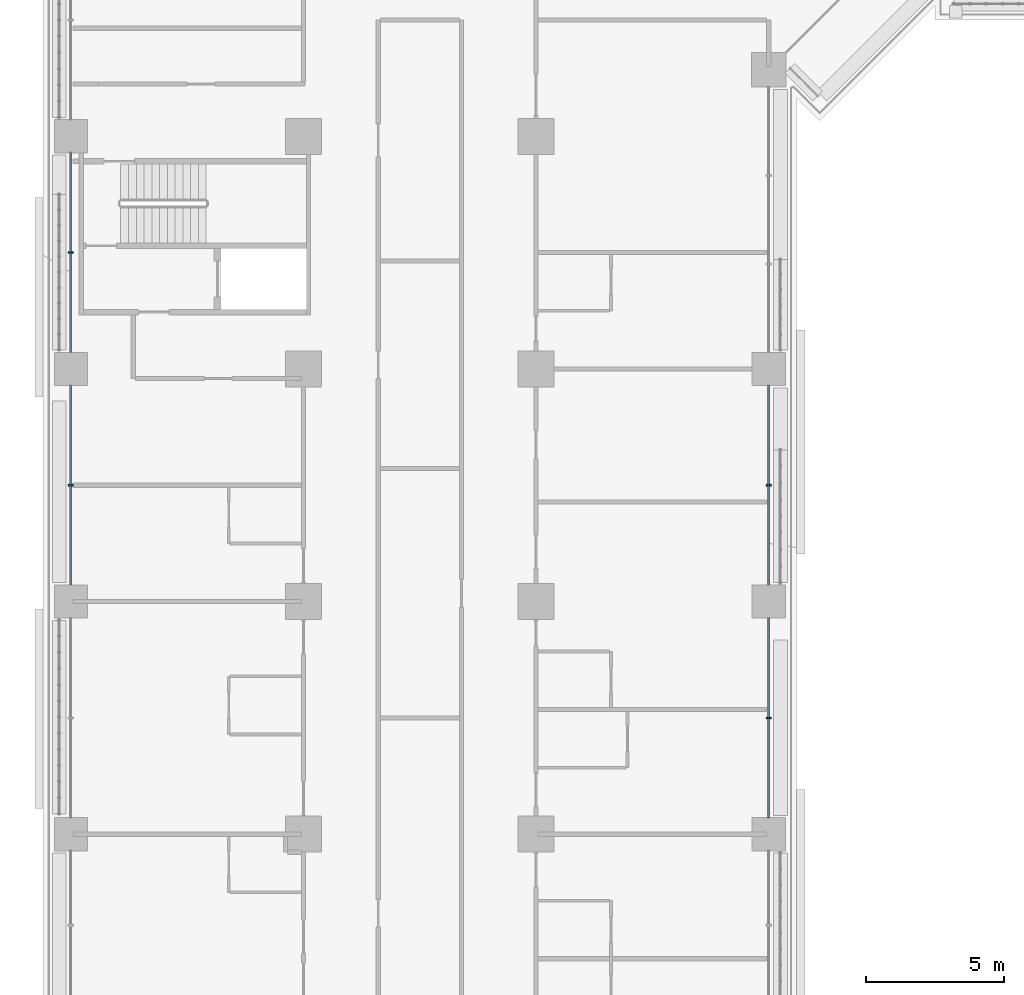
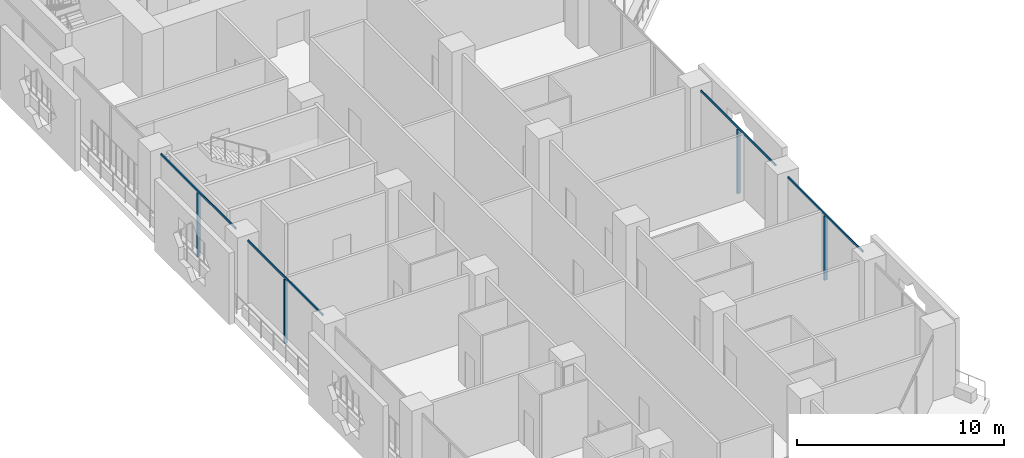
# One storey, part 3 of 28: 8 members, 2 elements without a shape of their own.
"""IFC4 building model written with IfcOpenShell, lengths in metres."""

from ifc_helpers import new_model, si_unit, direction, frame, origin, origin_2d, place, context, subcontext, project, spatial, rectangle, extrude, material, layer, layer_set, material_profile, profile_set, type_object, element, aggregate, save


model = new_model("IFC4")

# Units and contexts
model_context = context("Model", 3, precision=1e-05, world=origin(), true_north=direction((0.0, 1.0)))
body_context = subcontext(model_context, "Body", "Model", "MODEL_VIEW")
ifc_project = project(units=[si_unit("LENGTHUNIT", "METRE"), si_unit("AREAUNIT", "SQUARE_METRE"), si_unit("VOLUMEUNIT", "CUBIC_METRE"), si_unit("PLANEANGLEUNIT", "RADIAN"), si_unit("MASSUNIT", "GRAM", prefix="KILO")], contexts=[model_context])

# Site, building, storey
site_placement = place(None, origin())
site = spatial("IfcSite", under=ifc_project, at=site_placement, CompositionType="ELEMENT")
building_placement = place(site_placement, origin())
building = spatial("IfcBuilding", under=site, at=building_placement, Name="Kawkab Arch Medical Tower", CompositionType="ELEMENT")
storey_placement = place(building_placement, frame((0.0, 0.0, 77.0)))
storey = spatial("IfcBuildingStorey", under=building, at=storey_placement, Name="L17", CompositionType="ELEMENT", Elevation=77.0)

# Curtain wall, members
ifc_material_1 = material(Name="Bronze anodised aluminium curtain wall frame", Category="aluminium")
ifc_layer = layer(ifc_material_1, 0.159912109375)
ifc_layer_set = layer_set([ifc_layer], Name="Bronze anodised aluminium curtain wall frame")
curtain_wall_type = type_object("IfcCurtainWallType", Name="CW1 ward curtain wall", PredefinedType="NOTDEFINED", material=ifc_layer_set)
placement = place(storey_placement, origin())
curtain_wall_1 = element("IfcCurtainWall", 1, at=placement, inside=storey, type_object=curtain_wall_type, Name="CW1 Ward curtain wall R01", PredefinedType="NOTDEFINED")
ifc_material_2 = material(Name="Bronze anodised aluminium curtain wall frame", Category="aluminium")
ifc_material_profile_1 = material_profile(ifc_material_2, rectangle(XDim=0.179931640625, YDim=0.06005859375, at=origin_2d()), Name="AL 60x180")
ifc_profile_set_1 = profile_set([ifc_material_profile_1], Name="Bronze anodised aluminium curtain wall frame")
member_type_1 = type_object("IfcMemberType", Name="CW1 mullion 60 x 180", PredefinedType="MULLION", material=ifc_profile_set_1)
member_1_placement = place(storey_placement, frame((0.0, -37.800048828125, 0.0), z_axis=(0.0, 0.0, 1.0), x_axis=(1.0, 0.0, 0.0)))
member_1 = element("IfcMember", 2, at=member_1_placement, type_object=member_type_1, Name="CW1 mullion 4.1", PredefinedType="MULLION", context=body_context, shape_type="SweptSolid", body=[
    extrude(rectangle(XDim=0.179931640625, YDim=0.06005859375, at=origin_2d()), origin(), (0.0, 0.0, 1.0), 3.780029296875),
])
member_2_placement = place(storey_placement, frame((0.0, -46.199951171875, 0.0), z_axis=(0.0, 0.0, 1.0), x_axis=(1.0, 0.0, 0.0)))
member_2 = element("IfcMember", 3, at=member_2_placement, type_object=member_type_1, Name="CW1 mullion 5.1", PredefinedType="MULLION", context=body_context, shape_type="SweptSolid", body=[
    extrude(rectangle(XDim=0.179931640625, YDim=0.06005859375, at=origin_2d()), origin(), (0.0, 0.0, 1.0), 3.780029296875),
])

curtain_wall_2 = element("IfcCurtainWall", 4, at=placement, inside=storey, type_object=curtain_wall_type, Name="CW1 Ward curtain wall R05", PredefinedType="NOTDEFINED")
member_3_placement = place(storey_placement, frame((25.199951171875, -54.60009765625, 0.0), z_axis=(0.0, 0.0, 1.0), x_axis=(-1.0, 0.0, 0.0)))
member_3 = element("IfcMember", 5, at=member_3_placement, type_object=member_type_1, Name="CW1 mullion 2.1", PredefinedType="MULLION", context=body_context, shape_type="SweptSolid", body=[
    extrude(rectangle(XDim=0.179931640625, YDim=0.06005859375, at=origin_2d()), origin(), (0.0, 0.0, 1.0), 3.780029296875),
])
member_4_placement = place(storey_placement, frame((25.199951171875, -46.199951171875, 0.0), z_axis=(0.0, 0.0, 1.0), x_axis=(-1.0, 0.0, 0.0)))
member_4 = element("IfcMember", 6, at=member_4_placement, type_object=member_type_1, Name="CW1 mullion 3.1", PredefinedType="MULLION", context=body_context, shape_type="SweptSolid", body=[
    extrude(rectangle(XDim=0.179931640625, YDim=0.06005859375, at=origin_2d()), origin(), (0.0, 0.0, 1.0), 3.780029296875),
])

# Member
ifc_material_3 = material(Name="Bronze anodised aluminium curtain wall frame", Category="aluminium")
ifc_material_profile_2 = material_profile(ifc_material_3, rectangle(XDim=0.06005859375, YDim=0.1201171875, at=origin_2d()), Name="AL 60x120")
ifc_profile_set_2 = profile_set([ifc_material_profile_2], Name="Bronze anodised aluminium curtain wall frame")
member_type_2 = type_object("IfcMemberType", Name="CW1 transom 120 x 60", PredefinedType="USERDEFINED", material=ifc_profile_set_2)
member_5_placement = place(storey_placement, frame((0.0, -34.199951171875, 3.840087890625), z_axis=(0.0, -1.0, 0.0), x_axis=(1.0, 0.0, 0.0)))
member_5 = element("IfcMember", 7, at=member_5_placement, type_object=member_type_2, Name="CW1 transom 4", ObjectType="TRANSOM", PredefinedType="USERDEFINED", context=body_context, shape_type="SweptSolid", body=[
    extrude(rectangle(XDim=0.06005859375, YDim=0.1201171875, at=origin_2d()), origin(), (0.0, 0.0, 1.0), 7.199951171875),
])

member_6_placement = place(storey_placement, frame((0.0, -42.60009765625, 3.840087890625), z_axis=(0.0, -1.0, 0.0), x_axis=(1.0, 0.0, 0.0)))
member_6 = element("IfcMember", 8, at=member_6_placement, type_object=member_type_2, Name="CW1 transom 5", ObjectType="TRANSOM", PredefinedType="USERDEFINED", context=body_context, shape_type="SweptSolid", body=[
    extrude(rectangle(XDim=0.06005859375, YDim=0.1201171875, at=origin_2d()), origin(), (0.0, 0.0, 1.0), 7.199951171875),
])

aggregate(curtain_wall_1, [member_5, member_1, member_6, member_2])

member_7_placement = place(storey_placement, frame((25.199951171875, -58.199951171875, 3.840087890625), z_axis=(0.0, 1.0, 0.0), x_axis=(-1.0, 0.0, 0.0)))
member_7 = element("IfcMember", 9, at=member_7_placement, type_object=member_type_2, Name="CW1 transom 2", ObjectType="TRANSOM", PredefinedType="USERDEFINED", context=body_context, shape_type="SweptSolid", body=[
    extrude(rectangle(XDim=0.06005859375, YDim=0.1201171875, at=origin_2d()), origin(), (0.0, 0.0, 1.0), 7.199951171875),
])

member_8_placement = place(storey_placement, frame((25.199951171875, -49.800048828125, 3.840087890625), z_axis=(0.0, 1.0, 0.0), x_axis=(-1.0, 0.0, 0.0)))
member_8 = element("IfcMember", 10, at=member_8_placement, type_object=member_type_2, Name="CW1 transom 3", ObjectType="TRANSOM", PredefinedType="USERDEFINED", context=body_context, shape_type="SweptSolid", body=[
    extrude(rectangle(XDim=0.06005859375, YDim=0.1201171875, at=origin_2d()), origin(), (0.0, 0.0, 1.0), 7.199951171875),
])

aggregate(curtain_wall_2, [member_7, member_3, member_8, member_4])

save(model, "model.ifc")
